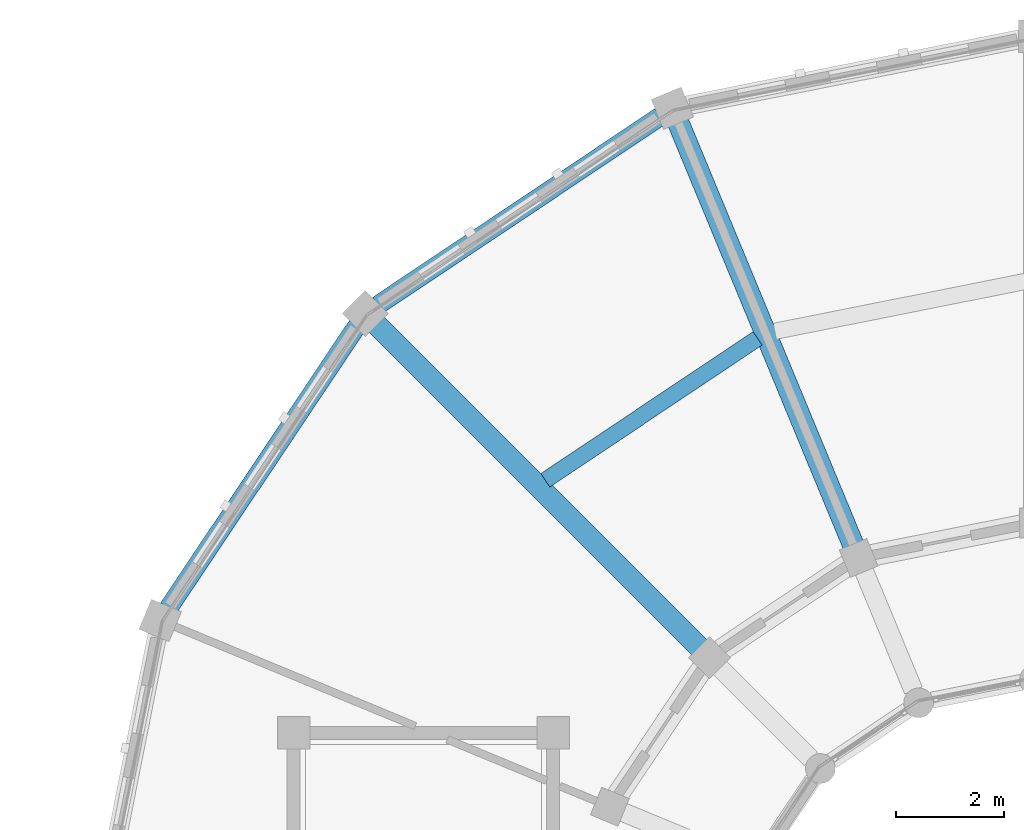
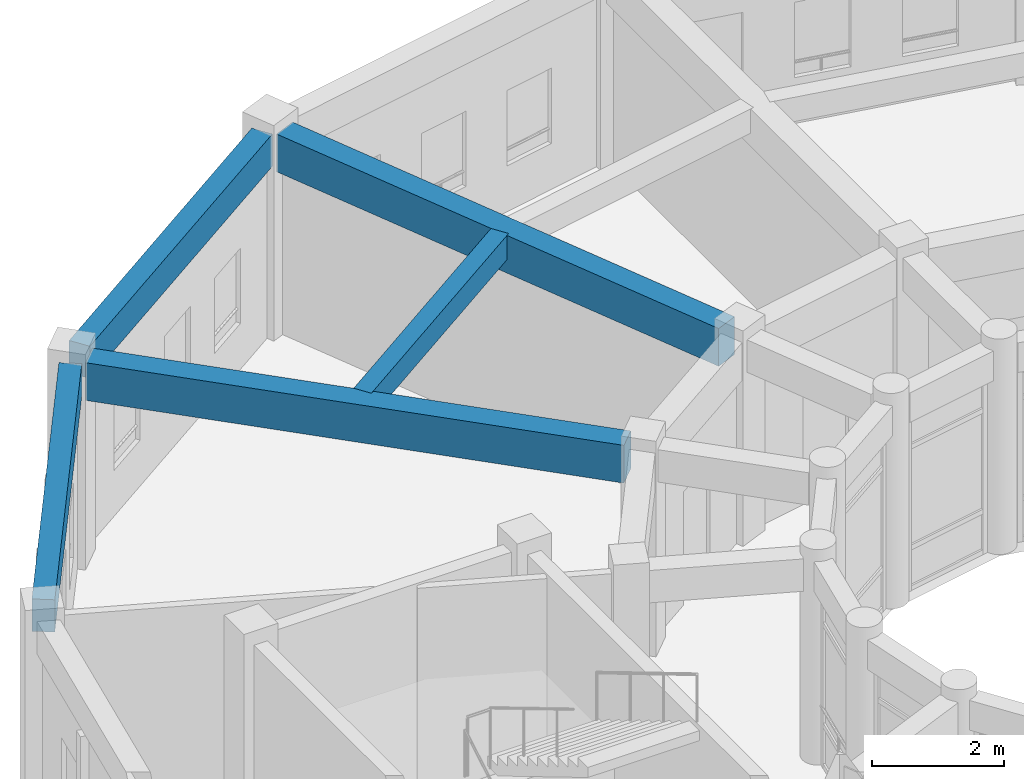
# One storey, part 32 of 112: 5 beams.
"""IFC4 building model written with IfcOpenShell, lengths in metres."""

import ifcopenshell
import ifcopenshell.guid

model = None  # the IFC model being written
_history = None  # IfcOwnerHistory: only IFC2X3 demands one
_inside = {}  # id of a spatial element -> (the spatial element, [elements in it])
_under = {}  # id of a project, library or spatial element -> (it, [spatial elements below it])
_declared = {}  # id of a project -> (the project, [libraries it declares])
_typed = {}  # id of a type object -> (the type object, [elements of that type])
_made_of = {}  # id of a material, layer set ... -> (it, [elements and type objects made of it])


def new_model(schema):
    """Start an empty IFC model of exactly this schema.

    Asked for "IFC4X3", IfcOpenShell would pick the latest addendum, in which some entities
    have other attributes; the version numbers below select the first issue.
    IFC2X3 requires an IfcOwnerHistory on every rooted entity: one is made here for all.
    """
    global model, _history
    if schema == "IFC4X3":
        model = ifcopenshell.file(schema_version=(4, 3, 0, 0))
    else:
        model = ifcopenshell.file(schema=schema)
    _inside.clear()
    _under.clear()
    _declared.clear()
    _typed.clear()
    _made_of.clear()
    _history = None
    if model.schema == "IFC2X3":
        org = make("IfcOrganization", Name="unknown")
        user = make(
            "IfcPersonAndOrganization",
            ThePerson=make("IfcPerson", FamilyName="unknown"),
            TheOrganization=org,
        )
        app = make(
            "IfcApplication",
            ApplicationDeveloper=org,
            Version="unknown",
            ApplicationFullName="unknown",
            ApplicationIdentifier="unknown",
        )
        _history = make(
            "IfcOwnerHistory",
            OwningUser=user,
            OwningApplication=app,
            ChangeAction="ADDED",
            CreationDate=0,
        )
    return model


def make(cls, **values):
    """One entity of the class cls with the attributes given. An attribute that is None is left unset."""
    return model.create_entity(
        cls, **{name: value for name, value in values.items() if value is not None}
    )


def rooted(cls, **values):
    """An entity with a GlobalId (a new one), such as an element, a storey or a relation."""
    return make(cls, GlobalId=ifcopenshell.guid.new(), OwnerHistory=_history, **values)


def si_unit(unit_type, name, prefix=None):
    """IfcSIUnit, for example si_unit("LENGTHUNIT", "METRE", prefix="MILLI")."""
    return make("IfcSIUnit", UnitType=unit_type, Prefix=prefix, Name=name)


def assignment(units):
    """IfcUnitAssignment: the units of a project."""
    return None if units is None else make("IfcUnitAssignment", Units=units)


def point(xyz):
    """IfcCartesianPoint."""
    return None if xyz is None else make("IfcCartesianPoint", Coordinates=xyz)


def direction(xyz):
    """IfcDirection."""
    return None if xyz is None else make("IfcDirection", DirectionRatios=xyz)


def frame(location, z_axis=None, x_axis=None):
    """IfcAxis2Placement3D, a coordinate frame: its origin and axes. An axis left out is left unset."""
    return make(
        "IfcAxis2Placement3D",
        Location=point(location),
        Axis=direction(z_axis),
        RefDirection=direction(x_axis),
    )


def frame_2d(location, x_axis=None):
    """IfcAxis2Placement2D, a coordinate frame in the plane: its origin and x axis."""
    return make(
        "IfcAxis2Placement2D", Location=point(location), RefDirection=direction(x_axis)
    )


def origin():
    """The frame at (0, 0, 0) with its axes left unset."""
    return frame((0.0, 0.0, 0.0))


def origin_2d():
    """The frame at (0, 0) in the plane with its x axis left unset."""
    return frame_2d((0.0, 0.0))


def place(relative_to, where):
    """IfcLocalPlacement: puts the frame where relative to a parent placement (None: the world)."""
    return make(
        "IfcLocalPlacement", PlacementRelTo=relative_to, RelativePlacement=where
    )


def context(
    kind, dimensions, precision=None, world=None, true_north=None, identifier=None
):
    """IfcGeometricRepresentationContext, for example the 3D "Model" context."""
    return make(
        "IfcGeometricRepresentationContext",
        ContextIdentifier=identifier,
        ContextType=kind,
        CoordinateSpaceDimension=dimensions,
        Precision=precision,
        WorldCoordinateSystem=world,
        TrueNorth=true_north,
    )


def subcontext(parent, identifier, kind, view, scale=None):
    """IfcGeometricRepresentationSubContext, for example "Body" below "Model"."""
    return make(
        "IfcGeometricRepresentationSubContext",
        ContextIdentifier=identifier,
        ContextType=kind,
        ParentContext=parent,
        TargetScale=scale,
        TargetView=view,
    )


def project(units=None, contexts=None):
    """IfcProject with its units and contexts."""
    return rooted(
        "IfcProject",
        Name="project",
        RepresentationContexts=contexts,
        UnitsInContext=assignment(units),
    )


def spatial(cls, under=None, at=None, **own):
    """A site, building, storey or space (cls), placed at a placement, below another one or the project."""
    s = rooted(cls, ObjectPlacement=at, **own)
    if under is not None:
        _under.setdefault(under.id(), (under, []))[1].append(s)
    return s


def profile(cls, at=None, kind="AREA", **sizes):
    """A parametric profile (cls). Its sizes go by their IFC names, for example OverallWidth=200.0."""
    return make(cls, ProfileType=kind, Position=at, **sizes)


def rectangle(**sizes):
    """IfcRectangleProfileDef."""
    return profile("IfcRectangleProfileDef", **sizes)


def extrude(swept, where, along, depth):
    """IfcExtrudedAreaSolid: the profile swept, set in the frame where, extruded along a direction by depth."""
    return make(
        "IfcExtrudedAreaSolid",
        SweptArea=swept,
        Position=where,
        ExtrudedDirection=direction(along),
        Depth=depth,
    )


def shape(context_of_items, identifier, shape_type, items):
    """IfcShapeRepresentation: the items that make up one representation, for example the "Body"."""
    return make(
        "IfcShapeRepresentation",
        ContextOfItems=context_of_items,
        RepresentationIdentifier=identifier,
        RepresentationType=shape_type,
        Items=items,
    )


def material(Name=None, Category=None):
    """IfcMaterial."""
    return make("IfcMaterial", Name=Name, Category=Category)


def material_profile(
    of_material, cross_section, Name=None, Category=None, Priority=None
):
    """IfcMaterialProfile: a cross section and its material."""
    return make(
        "IfcMaterialProfile",
        Name=Name,
        Material=of_material,
        Profile=cross_section,
        Priority=Priority,
        Category=Category,
    )


def profile_set(profiles, Name=None, composite=None):
    """IfcMaterialProfileSet."""
    return make(
        "IfcMaterialProfileSet",
        Name=Name,
        MaterialProfiles=profiles,
        CompositeProfile=composite,
    )


def made_of(thing, what):
    """Note that an element or type object is made of a material, layer set ...; save() writes the relation."""
    if what is not None:
        _made_of.setdefault(what.id(), (what, []))[1].append(thing)
    return thing


def type_object(cls, material=None, **own):
    """A type object (cls), such as IfcWallType, which elements share."""
    return made_of(rooted(cls, **own), material)


def element(
    cls,
    number,
    at=None,
    inside=None,
    cuts=None,
    type_object=None,
    material=None,
    context=None,
    identifier="Body",
    shape_type=None,
    held_by="IfcProductDefinitionShape",
    body=None,
    shapes=None,
    **own,
):
    """One element of the class cls, such as IfcWall. Its Tag is "e" and its number.

    at: its placement. inside: the storey or other place that contains it. cuts: it is an
    opening in that element (IfcRelVoidsElement). A single representation is given by context,
    identifier, shape_type and body (its items); several are given by shapes. held_by: the class
    of the entity that holds the representations. save() writes the other relations.
    """
    e = rooted(cls, Tag="e%d" % number, ObjectPlacement=at, **own)
    if body is not None:
        shapes = [shape(context, identifier, shape_type, body)]
    if shapes is not None:
        e.Representation = make(held_by, Representations=shapes)
    if inside is not None:
        _inside.setdefault(inside.id(), (inside, []))[1].append(e)
    if cuts is not None:
        rooted(
            "IfcRelVoidsElement", RelatingBuildingElement=cuts, RelatedOpeningElement=e
        )
    if type_object is not None:
        _typed.setdefault(type_object.id(), (type_object, []))[1].append(e)
    return made_of(e, material)


def aggregate(whole, parts):
    """IfcRelAggregates: a whole, such as a stair, and the parts it consists of."""
    return rooted("IfcRelAggregates", RelatingObject=whole, RelatedObjects=parts)


def save(model, path):
    """Write the relations noted so far, then the file.

    IfcRelAggregates (storeys below a building ...), IfcRelContainedInSpatialStructure (elements
    in a storey), IfcRelDefinesByType, IfcRelAssociatesMaterial and IfcRelDeclares: one each for
    every whole, place, type object, material and project.
    """
    for whole, parts in _under.values():
        aggregate(whole, parts)
    for where, things in _inside.values():
        rooted(
            "IfcRelContainedInSpatialStructure",
            RelatedElements=things,
            RelatingStructure=where,
        )
    for kind, things in _typed.values():
        rooted("IfcRelDefinesByType", RelatedObjects=things, RelatingType=kind)
    for what, things in _made_of.values():
        rooted("IfcRelAssociatesMaterial", RelatedObjects=things, RelatingMaterial=what)
    for by, libraries in _declared.values():
        rooted("IfcRelDeclares", RelatingContext=by, RelatedDefinitions=libraries)
    model.write(path)


model = new_model("IFC4")

# Units and contexts
model_context = context("Model", 3, precision=1e-05, world=origin(), true_north=direction((0.0, 1.0)))
body_context = subcontext(model_context, "Body", "Model", "MODEL_VIEW")
ifc_project = project(units=[si_unit("LENGTHUNIT", "METRE"), si_unit("AREAUNIT", "SQUARE_METRE"), si_unit("VOLUMEUNIT", "CUBIC_METRE"), si_unit("PLANEANGLEUNIT", "RADIAN"), si_unit("MASSUNIT", "GRAM", prefix="KILO")], contexts=[model_context])

# Site, building, storey
site_placement = place(None, origin())
site = spatial("IfcSite", under=ifc_project, at=site_placement, CompositionType="ELEMENT")
building_placement = place(site_placement, origin())
building = spatial("IfcBuilding", under=site, at=building_placement, Name="Celadon Cloister-Ring School", CompositionType="ELEMENT")
storey_placement = place(building_placement, frame((0.0, 0.0, 8.5)))
storey = spatial("IfcBuildingStorey", under=building, at=storey_placement, Name="L02", CompositionType="ELEMENT", Elevation=8.5)

# Beams
ifc_material_1 = material(Name="Concrete C35/45", Category="concrete")
ifc_material_profile_1 = material_profile(ifc_material_1, rectangle(XDim=0.39990234375, YDim=0.699951171875, at=origin_2d()), Name="RC400X700")
ifc_profile_set_1 = profile_set([ifc_material_profile_1], Name="Concrete C35/45")
beam_type_1 = type_object("IfcBeamType", Name="GT-03", PredefinedType="USERDEFINED", material=ifc_profile_set_1)
beam_1_placement = place(storey_placement, frame((13.60791015625, 112.9140625, 3.429931640625), z_axis=(0.382667268836, -0.923886227499, 0.0), x_axis=(0.923886227499, 0.382667268836, 0.0)))
element("IfcBeam", 1, at=beam_1_placement, inside=storey, type_object=beam_type_1, Name="Beam 0741", ObjectType="GIRDER", PredefinedType="USERDEFINED", context=body_context, shape_type="SweptSolid", body=[
    extrude(rectangle(XDim=0.39990234375, YDim=0.699951171875, at=origin_2d()), origin(), (0.0, 0.0, 1.0), 8.47509765625),
])
beam_2_placement = place(storey_placement, frame((8.02001953125, 109.179931640625, 3.429931640625), z_axis=(0.707106781187, -0.707106781187, 0.0), x_axis=(0.707106781187, 0.707106781187, 0.0)))
element("IfcBeam", 2, at=beam_2_placement, inside=storey, type_object=beam_type_1, Name="Beam 0743", ObjectType="GIRDER", PredefinedType="USERDEFINED", context=body_context, shape_type="SweptSolid", body=[
    extrude(rectangle(XDim=0.39990234375, YDim=0.699951171875, at=origin_2d()), origin(), (0.0, 0.0, 1.0), 8.475341796875),
])
ifc_material_2 = material(Name="Concrete C35/45", Category="concrete")
ifc_material_profile_2 = material_profile(ifc_material_2, rectangle(XDim=0.300048828125, YDim=0.449951171875, at=origin_2d()), Name="RC300X450")
ifc_profile_set_2 = profile_set([ifc_material_profile_2], Name="Concrete C35/45")
beam_type_2 = type_object("IfcBeamType", Name="JT-01", PredefinedType="JOIST", material=ifc_profile_set_2)
beam_3_placement = place(storey_placement, frame((15.0791015625, 108.9130859375, 3.554931640625), z_axis=(-0.831333623542, -0.55577370068, 0.0), x_axis=(0.55577370068, -0.831333623542, 0.0)))
element("IfcBeam", 3, at=beam_3_placement, inside=storey, type_object=beam_type_2, Name="Beam 0778", PredefinedType="JOIST", context=body_context, shape_type="SweptSolid", body=[
    extrude(rectangle(XDim=0.300048828125, YDim=0.449951171875, at=origin_2d()), origin(), (0.0, 0.0, 1.0), 4.721435546875),
])
ifc_material_3 = material(Name="Concrete C35/45", Category="concrete")
ifc_material_profile_3 = material_profile(ifc_material_3, rectangle(XDim=0.35009765625, YDim=0.60009765625, at=origin_2d()), Name="RC350X600")
ifc_profile_set_3 = profile_set([ifc_material_profile_3], Name="Concrete C35/45")
beam_type_3 = type_object("IfcBeamType", Name="SP-01", PredefinedType="SPANDREL", material=ifc_profile_set_3)
beam_4_placement = place(storey_placement, frame((13.27392578125, 113.014892578125, 3.47998046875), z_axis=(-0.831427473898, -0.555633292422, 0.0), x_axis=(0.555633292422, -0.831427473898, 0.0)))
element("IfcBeam", 4, at=beam_4_placement, inside=storey, type_object=beam_type_3, Name="Beam 0775", PredefinedType="SPANDREL", context=body_context, shape_type="SweptSolid", body=[
    extrude(rectangle(XDim=0.35009765625, YDim=0.60009765625, at=origin_2d()), origin(), (0.0, 0.0, 1.0), 6.277099609375),
])
beam_5_placement = place(storey_placement, frame((7.673095703125, 109.14501953125, 3.47998046875), z_axis=(-0.555660177561, -0.831409506244, 0.0), x_axis=(0.831409506244, -0.555660177561, 0.0)))
element("IfcBeam", 5, at=beam_5_placement, inside=storey, type_object=beam_type_3, Name="Beam 0779", PredefinedType="SPANDREL", context=body_context, shape_type="SweptSolid", body=[
    extrude(rectangle(XDim=0.35009765625, YDim=0.60009765625, at=origin_2d()), origin(), (0.0, 0.0, 1.0), 6.27734375),
])

save(model, "model.ifc")
